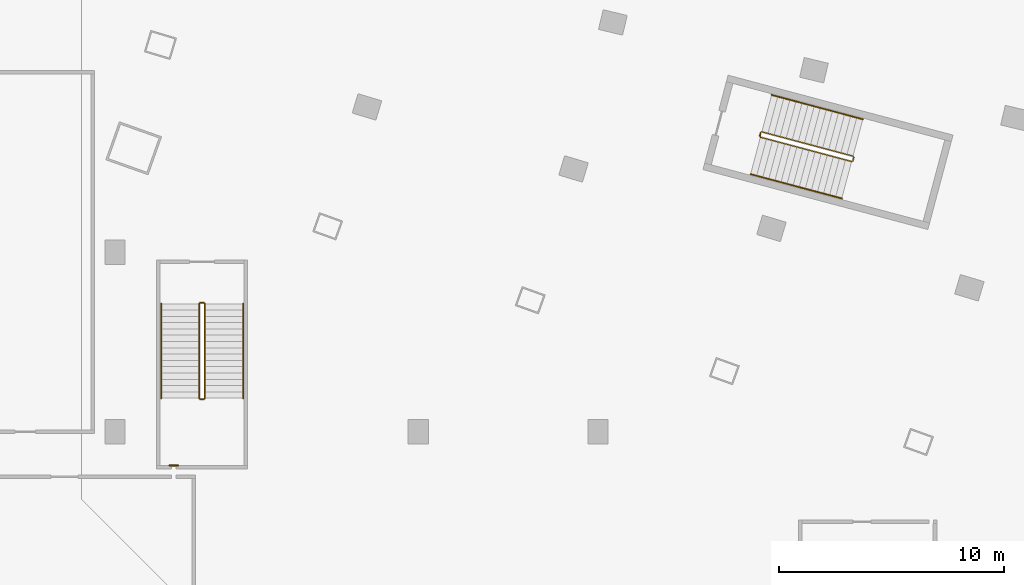
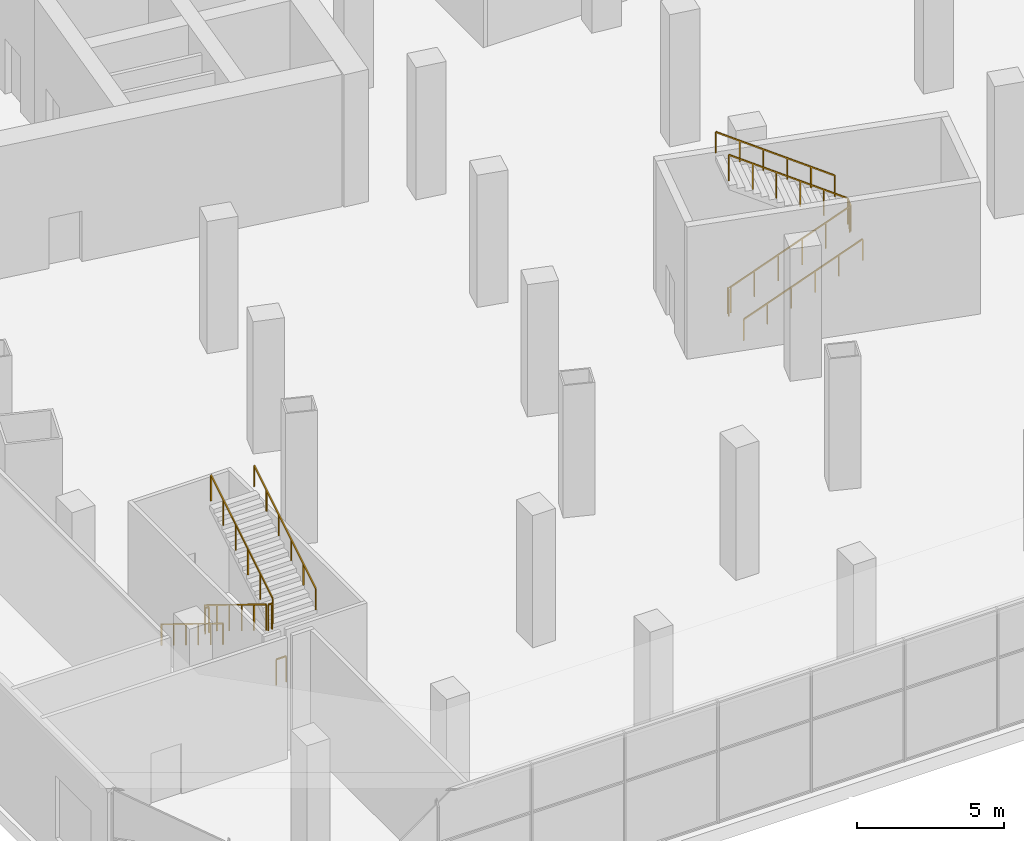
# One storey, part 20 of 26: 10 railings.
"""IFC4 building model written with IfcOpenShell, lengths in metres."""

from ifc_helpers import new_model, si_unit, direction, frame, origin, origin_with_axes, origin_2d, place, context, subcontext, project, spatial, rectangle, extrude, material, type_object, element, save


model = new_model("IFC4")

# Units and contexts
model_context = context("Model", 3, precision=1e-05, world=origin(), true_north=direction((0.0, 1.0)))
body_context = subcontext(model_context, "Body", "Model", "MODEL_VIEW")
ifc_project = project(units=[si_unit("LENGTHUNIT", "METRE"), si_unit("AREAUNIT", "SQUARE_METRE"), si_unit("VOLUMEUNIT", "CUBIC_METRE"), si_unit("PLANEANGLEUNIT", "RADIAN"), si_unit("MASSUNIT", "GRAM", prefix="KILO")], contexts=[model_context])

# Site, building, storey
site_placement = place(None, origin())
site = spatial("IfcSite", under=ifc_project, at=site_placement, CompositionType="ELEMENT")
building_placement = place(site_placement, origin())
building = spatial("IfcBuilding", under=site, at=building_placement, Name="Alderwake Tower", CompositionType="ELEMENT")
storey_placement = place(building_placement, frame((0.0, 0.0, 8.0)))
storey = spatial("IfcBuildingStorey", under=building, at=storey_placement, Name="L01", CompositionType="ELEMENT", Elevation=8.0)

# Railings
ifc_material_1 = material(Name="Stainless steel guard", Category="steel")
railing_type_1 = type_object("IfcRailingType", Name="Stair guard 1100", PredefinedType="GUARDRAIL", material=ifc_material_1)
railing_1_placement = place(storey_placement, frame((39.1943359375, 29.17431640625, 0.0)))
element("IfcRailing", 1, at=railing_1_placement, inside=storey, type_object=railing_type_1, Name="L01 ST-C stair guard 1", PredefinedType="GUARDRAIL", context=body_context, shape_type="SweptSolid", body=[
    extrude(rectangle(XDim=0.048095703125, YDim=0.048095703125, at=origin_2d()), frame((0.0, 0.0, 1.076171875), z_axis=(0.257459803502, 0.966289009345, 0.0), x_axis=(-0.966289009345, 0.257459803502, 0.0)), (0.0, 0.0, 1.0), 0.14990234375),
    extrude(rectangle(XDim=0.048095703125, YDim=0.048095703125, at=origin_2d()), frame((0.03857421875, 0.144775390625, 1.076171875), z_axis=(-0.011827368703, -0.767869168075, 0.640497505124), x_axis=(0.999881397308, -0.015401016783, 0.0)), (0.0, 0.0, 1.0), 0.268310546875),
    extrude(rectangle(XDim=0.048095703125, YDim=0.048095703125, at=origin_2d()), frame((0.035400390625, -0.061279296875, 1.248046875), z_axis=(0.823537466516, -0.219358993126, 0.523132558133), x_axis=(0.257387681119, 0.966308222881, 0.0)), (0.0, 0.0, 1.0), 4.92822265625),
    extrude(rectangle(XDim=0.048095703125, YDim=0.048095703125, at=origin_2d()), frame((4.093994140625, -1.142333984375, 3.826171875), z_axis=(0.865031189262, 0.501718089772, 0.0), x_axis=(-0.501718089772, 0.865031189262, 0.0)), (0.0, 0.0, 1.0), 0.070556640625),
    extrude(rectangle(XDim=0.048095703125, YDim=0.048095703125, at=origin_2d()), frame((4.155029296875, -1.10693359375, 3.826171875), z_axis=(0.258573505099, 0.965991585088, 0.0), x_axis=(-0.965991585088, 0.258573505099, 0.0)), (0.0, 0.0, 1.0), 0.150146484375),
    extrude(rectangle(XDim=0.048095703125, YDim=0.048095703125, at=origin_2d()), frame((4.19384765625, -0.9619140625, 3.826171875), z_axis=(-0.191718465689, 0.329598184164, 0.924450683871), x_axis=(-0.864402767194, -0.502800015978, 0.0)), (0.0, 0.0, 1.0), 0.18603515625),
    extrude(rectangle(XDim=0.048095703125, YDim=0.048095703125, at=origin_2d()), frame((4.158203125, -0.900634765625, 3.998046875), z_axis=(-0.82352152456, 0.219367942655, 0.523153901182), x_axis=(-0.257402139082, -0.966304371715, 0.0)), (0.0, 0.0, 1.0), 4.927978515625),
    extrude(rectangle(XDim=0.0419921875, YDim=0.0419921875, at=origin_2d()), frame((0.0, 0.0, 0.0), z_axis=(0.0, 0.0, 1.0), x_axis=(0.257459803502, 0.966289009345, 0.0)), (0.0, 0.0, 1.0), 1.052001953125),
    extrude(rectangle(XDim=0.0419921875, YDim=0.0419921875, at=origin_2d()), frame((0.03857421875, 0.144775390625, 0.0), z_axis=(0.0, 0.0, 1.0), x_axis=(-0.015401016783, -0.999881397308, 0.0)), (0.0, 0.0, 1.0), 1.052001953125),
    extrude(rectangle(XDim=0.0419921875, YDim=0.0419921875, at=origin_2d()), frame((0.035400390625, -0.061279296875, 0.171875), z_axis=(0.0, 0.0, 1.0), x_axis=(0.966308222881, -0.257387681119, 0.0)), (0.0, 0.0, 1.0), 1.052001953125),
    extrude(rectangle(XDim=0.0419921875, YDim=0.0419921875, at=origin_2d()), frame((0.84716796875, -0.277587890625, 0.6875), z_axis=(0.0, 0.0, 1.0), x_axis=(0.966308222881, -0.257387681119, 0.0)), (0.0, 0.0, 1.0), 1.052001953125),
    extrude(rectangle(XDim=0.0419921875, YDim=0.0419921875, at=origin_2d()), frame((1.658935546875, -0.49365234375, 1.203125), z_axis=(0.0, 0.0, 1.0), x_axis=(0.966308222881, -0.257387681119, 0.0)), (0.0, 0.0, 1.0), 1.052001953125),
    extrude(rectangle(XDim=0.0419921875, YDim=0.0419921875, at=origin_2d()), frame((2.470458984375, -0.7099609375, 1.71875), z_axis=(0.0, 0.0, 1.0), x_axis=(0.966308222881, -0.257387681119, 0.0)), (0.0, 0.0, 1.0), 1.052001953125),
    extrude(rectangle(XDim=0.0419921875, YDim=0.0419921875, at=origin_2d()), frame((3.2822265625, -0.926025390625, 2.234375), z_axis=(0.0, 0.0, 1.0), x_axis=(0.966308222881, -0.257387681119, 0.0)), (0.0, 0.0, 1.0), 1.052001953125),
    extrude(rectangle(XDim=0.0419921875, YDim=0.0419921875, at=origin_2d()), frame((4.093994140625, -1.142333984375, 2.75), z_axis=(0.0, 0.0, 1.0), x_axis=(0.865031189262, 0.501718089772, 0.0)), (0.0, 0.0, 1.0), 1.052001953125),
    extrude(rectangle(XDim=0.0419921875, YDim=0.0419921875, at=origin_2d()), frame((4.155029296875, -1.10693359375, 2.75), z_axis=(0.0, 0.0, 1.0), x_axis=(0.258573505099, 0.965991585088, 0.0)), (0.0, 0.0, 1.0), 1.052001953125),
    extrude(rectangle(XDim=0.0419921875, YDim=0.0419921875, at=origin_2d()), frame((4.19384765625, -0.9619140625, 2.75), z_axis=(0.0, 0.0, 1.0), x_axis=(-0.502800015978, 0.864402767194, 0.0)), (0.0, 0.0, 1.0), 1.052001953125),
    extrude(rectangle(XDim=0.0419921875, YDim=0.0419921875, at=origin_2d()), frame((4.158203125, -0.900634765625, 2.921875), z_axis=(0.0, 0.0, 1.0), x_axis=(-0.966304371715, 0.257402139082, 0.0)), (0.0, 0.0, 1.0), 1.052001953125),
    extrude(rectangle(XDim=0.0419921875, YDim=0.0419921875, at=origin_2d()), frame((3.346435546875, -0.684326171875, 3.4375), z_axis=(0.0, 0.0, 1.0), x_axis=(-0.966304371715, 0.257402139082, 0.0)), (0.0, 0.0, 1.0), 1.052001953125),
    extrude(rectangle(XDim=0.0419921875, YDim=0.0419921875, at=origin_2d()), frame((2.534912109375, -0.46826171875, 3.953125), z_axis=(0.0, 0.0, 1.0), x_axis=(-0.966304371715, 0.257402139082, 0.0)), (0.0, 0.0, 1.0), 1.052001953125),
    extrude(rectangle(XDim=0.0419921875, YDim=0.0419921875, at=origin_2d()), frame((1.72314453125, -0.251953125, 4.46875), z_axis=(0.0, 0.0, 1.0), x_axis=(-0.966304371715, 0.257402139082, 0.0)), (0.0, 0.0, 1.0), 1.052001953125),
    extrude(rectangle(XDim=0.0419921875, YDim=0.0419921875, at=origin_2d()), frame((0.91162109375, -0.035888671875, 4.984375), z_axis=(0.0, 0.0, 1.0), x_axis=(-0.966304371715, 0.257402139082, 0.0)), (0.0, 0.0, 1.0), 1.052001953125),
    extrude(rectangle(XDim=0.0419921875, YDim=0.0419921875, at=origin_2d()), frame((0.099853515625, 0.180419921875, 5.5), z_axis=(0.0, 0.0, 1.0), x_axis=(-0.966304371715, 0.257402139082, 0.0)), (0.0, 0.0, 1.0), 1.052001953125),
])
railing_2_placement = place(storey_placement, frame((14.25, 21.699951171875, 0.171875)))
element("IfcRailing", 2, at=railing_2_placement, inside=storey, type_object=railing_type_1, Name="L01 ST-P1 stair guard 1", PredefinedType="GUARDRAIL", context=body_context, shape_type="SweptSolid", body=[
    extrude(rectangle(XDim=0.048095703125, YDim=0.048095703125, at=origin_2d()), frame((0.0, 0.0, 1.076171875), z_axis=(0.0, -0.852242915053, 0.523146264196), x_axis=(1.0, 0.0, 0.0)), (0.0, 0.0, 1.0), 4.92822265625),
    extrude(rectangle(XDim=0.0419921875, YDim=0.0419921875, at=origin_2d()), frame((0.0, 0.0, 0.0), z_axis=(0.0, 0.0, 1.0), x_axis=(0.0, -1.0, 0.0)), (0.0, 0.0, 1.0), 1.052001953125),
    extrude(rectangle(XDim=0.0419921875, YDim=0.0419921875, at=origin_2d()), frame((0.0, -0.840087890625, 0.515625), z_axis=(0.0, 0.0, 1.0), x_axis=(0.0, -1.0, 0.0)), (0.0, 0.0, 1.0), 1.052001953125),
    extrude(rectangle(XDim=0.0419921875, YDim=0.0419921875, at=origin_2d()), frame((0.0, -1.679931640625, 1.03125), z_axis=(0.0, 0.0, 1.0), x_axis=(0.0, -1.0, 0.0)), (0.0, 0.0, 1.0), 1.052001953125),
    extrude(rectangle(XDim=0.0419921875, YDim=0.0419921875, at=origin_2d()), frame((0.0, -2.52001953125, 1.546875), z_axis=(0.0, 0.0, 1.0), x_axis=(0.0, -1.0, 0.0)), (0.0, 0.0, 1.0), 1.052001953125),
    extrude(rectangle(XDim=0.0419921875, YDim=0.0419921875, at=origin_2d()), frame((0.0, -3.35986328125, 2.0625), z_axis=(0.0, 0.0, 1.0), x_axis=(0.0, -1.0, 0.0)), (0.0, 0.0, 1.0), 1.052001953125),
    extrude(rectangle(XDim=0.0419921875, YDim=0.0419921875, at=origin_2d()), frame((0.0, -4.199951171875, 2.578125), z_axis=(0.0, 0.0, 1.0), x_axis=(0.0, -1.0, 0.0)), (0.0, 0.0, 1.0), 1.052001953125),
])
railing_3_placement = place(storey_placement, frame((14.300048828125, 17.449951171875, 2.75)))
element("IfcRailing", 3, at=railing_3_placement, inside=storey, type_object=railing_type_1, Name="L01 ST-P1 stair guard 2", PredefinedType="GUARDRAIL", context=body_context, shape_type="SweptSolid", body=[
    extrude(rectangle(XDim=0.048095703125, YDim=0.048095703125, at=origin_2d()), frame((0.0, 0.0, 1.076171875), z_axis=(1.0, 0.0, 0.0), x_axis=(0.0, 1.0, 0.0)), (0.0, 0.0, 1.0), 0.14990234375),
    extrude(rectangle(XDim=0.0419921875, YDim=0.0419921875, at=origin_2d()), origin_with_axes(), (0.0, 0.0, 1.0), 1.052001953125),
    extrude(rectangle(XDim=0.0419921875, YDim=0.0419921875, at=origin_2d()), frame((0.14990234375, 0.0, 0.0), z_axis=(0.0, 0.0, 1.0), x_axis=(1.0, 0.0, 0.0)), (0.0, 0.0, 1.0), 1.052001953125),
])
railing_4_placement = place(storey_placement, frame((14.5, 17.5, 2.921875)))
element("IfcRailing", 4, at=railing_4_placement, inside=storey, type_object=railing_type_1, Name="L01 ST-P1 stair guard 3", PredefinedType="GUARDRAIL", context=body_context, shape_type="SweptSolid", body=[
    extrude(rectangle(XDim=0.048095703125, YDim=0.048095703125, at=origin_2d()), frame((0.0, 0.0, 1.076171875), z_axis=(0.0, 0.852242915053, 0.523146264196), x_axis=(-1.0, 0.0, 0.0)), (0.0, 0.0, 1.0), 4.92822265625),
    extrude(rectangle(XDim=0.0419921875, YDim=0.0419921875, at=origin_2d()), frame((0.0, 0.0, 0.0), z_axis=(0.0, 0.0, 1.0), x_axis=(0.0, 1.0, 0.0)), (0.0, 0.0, 1.0), 1.052001953125),
    extrude(rectangle(XDim=0.0419921875, YDim=0.0419921875, at=origin_2d()), frame((0.0, 0.840087890625, 0.515625), z_axis=(0.0, 0.0, 1.0), x_axis=(0.0, 1.0, 0.0)), (0.0, 0.0, 1.0), 1.052001953125),
    extrude(rectangle(XDim=0.0419921875, YDim=0.0419921875, at=origin_2d()), frame((0.0, 1.679931640625, 1.03125), z_axis=(0.0, 0.0, 1.0), x_axis=(0.0, 1.0, 0.0)), (0.0, 0.0, 1.0), 1.052001953125),
    extrude(rectangle(XDim=0.0419921875, YDim=0.0419921875, at=origin_2d()), frame((0.0, 2.52001953125, 1.546875), z_axis=(0.0, 0.0, 1.0), x_axis=(0.0, 1.0, 0.0)), (0.0, 0.0, 1.0), 1.052001953125),
    extrude(rectangle(XDim=0.0419921875, YDim=0.0419921875, at=origin_2d()), frame((0.0, 3.35986328125, 2.0625), z_axis=(0.0, 0.0, 1.0), x_axis=(0.0, 1.0, 0.0)), (0.0, 0.0, 1.0), 1.052001953125),
    extrude(rectangle(XDim=0.0419921875, YDim=0.0419921875, at=origin_2d()), frame((0.0, 4.199951171875, 2.578125), z_axis=(0.0, 0.0, 1.0), x_axis=(0.0, 1.0, 0.0)), (0.0, 0.0, 1.0), 1.052001953125),
])
railing_5_placement = place(storey_placement, frame((14.300048828125, 21.75, 0.0)))
element("IfcRailing", 5, at=railing_5_placement, inside=storey, type_object=railing_type_1, Name="L01 ST-P1 stair guard 4", PredefinedType="GUARDRAIL", context=body_context, shape_type="SweptSolid", body=[
    extrude(rectangle(XDim=0.048095703125, YDim=0.048095703125, at=origin_2d()), frame((0.0, 0.0, 1.076171875), z_axis=(1.0, 0.0, 0.0), x_axis=(0.0, 1.0, 0.0)), (0.0, 0.0, 1.0), 0.14990234375),
    extrude(rectangle(XDim=0.0419921875, YDim=0.0419921875, at=origin_2d()), origin_with_axes(), (0.0, 0.0, 1.0), 1.052001953125),
    extrude(rectangle(XDim=0.0419921875, YDim=0.0419921875, at=origin_2d()), frame((0.14990234375, 0.0, 0.0), z_axis=(0.0, 0.0, 1.0), x_axis=(1.0, 0.0, 0.0)), (0.0, 0.0, 1.0), 1.052001953125),
])
railing_6_placement = place(storey_placement, frame((12.910888671875, 14.5, 2.75)))
element("IfcRailing", 6, at=railing_6_placement, inside=storey, type_object=railing_type_1, Name="L01 landing guard ST-P1.L1", PredefinedType="GUARDRAIL", context=body_context, shape_type="SweptSolid", body=[
    extrude(rectangle(XDim=0.048095703125, YDim=0.048095703125, at=origin_2d()), frame((0.0, 0.0, 1.076171875), z_axis=(1.0, 0.0, 0.0), x_axis=(0.0, 1.0, 0.0)), (0.0, 0.0, 1.0), 0.39599609375),
    extrude(rectangle(XDim=0.0419921875, YDim=0.0419921875, at=origin_2d()), origin_with_axes(), (0.0, 0.0, 1.0), 1.052001953125),
    extrude(rectangle(XDim=0.0419921875, YDim=0.0419921875, at=origin_2d()), frame((0.39599609375, 0.0, 0.0), z_axis=(0.0, 0.0, 1.0), x_axis=(1.0, 0.0, 0.0)), (0.0, 0.0, 1.0), 1.052001953125),
])
ifc_material_2 = material(Name="Stainless steel handrail", Category="steel")
railing_type_2 = type_object("IfcRailingType", Name="Stair handrail 900", PredefinedType="HANDRAIL", material=ifc_material_2)
railing_7_placement = place(storey_placement, frame((38.792236328125, 27.47021484375, 0.171875)))
element("IfcRailing", 7, at=railing_7_placement, inside=storey, type_object=railing_type_2, Name="L01 ST-C stair handrail 1", PredefinedType="HANDRAIL", context=body_context, shape_type="SweptSolid", body=[
    extrude(rectangle(XDim=0.048095703125, YDim=0.048095703125, at=origin_2d()), frame((0.0, 0.0, 0.8759765625), z_axis=(0.823546414901, -0.219311837029, 0.523138242382), x_axis=(0.257333403443, 0.966322678753, 0.0)), (0.0, 0.0, 1.0), 4.92822265625),
    extrude(rectangle(XDim=0.0419921875, YDim=0.0419921875, at=origin_2d()), frame((0.0, 0.0, 0.0), z_axis=(0.0, 0.0, 1.0), x_axis=(0.966322678753, -0.257333403443, 0.0)), (0.0, 0.0, 1.0), 0.851806640625),
    extrude(rectangle(XDim=0.0419921875, YDim=0.0419921875, at=origin_2d()), frame((0.811767578125, -0.216064453125, 0.515625), z_axis=(0.0, 0.0, 1.0), x_axis=(0.966322678753, -0.257333403443, 0.0)), (0.0, 0.0, 1.0), 0.851806640625),
    extrude(rectangle(XDim=0.0419921875, YDim=0.0419921875, at=origin_2d()), frame((1.62353515625, -0.432373046875, 1.03125), z_axis=(0.0, 0.0, 1.0), x_axis=(0.966322678753, -0.257333403443, 0.0)), (0.0, 0.0, 1.0), 0.851806640625),
    extrude(rectangle(XDim=0.0419921875, YDim=0.0419921875, at=origin_2d()), frame((2.43505859375, -0.6484375, 1.546875), z_axis=(0.0, 0.0, 1.0), x_axis=(0.966322678753, -0.257333403443, 0.0)), (0.0, 0.0, 1.0), 0.851806640625),
    extrude(rectangle(XDim=0.0419921875, YDim=0.0419921875, at=origin_2d()), frame((3.246826171875, -0.86474609375, 2.0625), z_axis=(0.0, 0.0, 1.0), x_axis=(0.966322678753, -0.257333403443, 0.0)), (0.0, 0.0, 1.0), 0.851806640625),
    extrude(rectangle(XDim=0.0419921875, YDim=0.0419921875, at=origin_2d()), frame((4.05859375, -1.080810546875, 2.578125), z_axis=(0.0, 0.0, 1.0), x_axis=(0.966322678753, -0.257333403443, 0.0)), (0.0, 0.0, 1.0), 0.851806640625),
])
railing_8_placement = place(storey_placement, frame((43.790283203125, 29.916259765625, 2.921875)))
element("IfcRailing", 8, at=railing_8_placement, inside=storey, type_object=railing_type_2, Name="L01 ST-C stair handrail 2", PredefinedType="HANDRAIL", context=body_context, shape_type="SweptSolid", body=[
    extrude(rectangle(XDim=0.048095703125, YDim=0.048095703125, at=origin_2d()), frame((0.0, 0.0, 0.8759765625), z_axis=(-0.823537466516, 0.219358993126, 0.523132558133), x_axis=(-0.257387681119, -0.966308222881, 0.0)), (0.0, 0.0, 1.0), 4.92822265625),
    extrude(rectangle(XDim=0.0419921875, YDim=0.0419921875, at=origin_2d()), frame((0.0, 0.0, 0.0), z_axis=(0.0, 0.0, 1.0), x_axis=(-0.966308222881, 0.257387681119, 0.0)), (0.0, 0.0, 1.0), 0.851806640625),
    extrude(rectangle(XDim=0.0419921875, YDim=0.0419921875, at=origin_2d()), frame((-0.811767578125, 0.21630859375, 0.515625), z_axis=(0.0, 0.0, 1.0), x_axis=(-0.966308222881, 0.257387681119, 0.0)), (0.0, 0.0, 1.0), 0.851806640625),
    extrude(rectangle(XDim=0.0419921875, YDim=0.0419921875, at=origin_2d()), frame((-1.62353515625, 0.432373046875, 1.03125), z_axis=(0.0, 0.0, 1.0), x_axis=(-0.966308222881, 0.257387681119, 0.0)), (0.0, 0.0, 1.0), 0.851806640625),
    extrude(rectangle(XDim=0.0419921875, YDim=0.0419921875, at=origin_2d()), frame((-2.43505859375, 0.648681640625, 1.546875), z_axis=(0.0, 0.0, 1.0), x_axis=(-0.966308222881, 0.257387681119, 0.0)), (0.0, 0.0, 1.0), 0.851806640625),
    extrude(rectangle(XDim=0.0419921875, YDim=0.0419921875, at=origin_2d()), frame((-3.246826171875, 0.86474609375, 2.0625), z_axis=(0.0, 0.0, 1.0), x_axis=(-0.966308222881, 0.257387681119, 0.0)), (0.0, 0.0, 1.0), 0.851806640625),
    extrude(rectangle(XDim=0.0419921875, YDim=0.0419921875, at=origin_2d()), frame((-4.05859375, 1.0810546875, 2.578125), z_axis=(0.0, 0.0, 1.0), x_axis=(-0.966308222881, 0.257387681119, 0.0)), (0.0, 0.0, 1.0), 0.851806640625),
])
railing_9_placement = place(storey_placement, frame((12.550048828125, 21.699951171875, 0.171875)))
element("IfcRailing", 9, at=railing_9_placement, inside=storey, type_object=railing_type_2, Name="L01 ST-P1 stair handrail 1", PredefinedType="HANDRAIL", context=body_context, shape_type="SweptSolid", body=[
    extrude(rectangle(XDim=0.048095703125, YDim=0.048095703125, at=origin_2d()), frame((0.0, 0.0, 0.8759765625), z_axis=(0.0, -0.852242915053, 0.523146264196), x_axis=(1.0, 0.0, 0.0)), (0.0, 0.0, 1.0), 4.92822265625),
    extrude(rectangle(XDim=0.0419921875, YDim=0.0419921875, at=origin_2d()), frame((0.0, 0.0, 0.0), z_axis=(0.0, 0.0, 1.0), x_axis=(0.0, -1.0, 0.0)), (0.0, 0.0, 1.0), 0.851806640625),
    extrude(rectangle(XDim=0.0419921875, YDim=0.0419921875, at=origin_2d()), frame((0.0, -0.840087890625, 0.515625), z_axis=(0.0, 0.0, 1.0), x_axis=(0.0, -1.0, 0.0)), (0.0, 0.0, 1.0), 0.851806640625),
    extrude(rectangle(XDim=0.0419921875, YDim=0.0419921875, at=origin_2d()), frame((0.0, -1.679931640625, 1.03125), z_axis=(0.0, 0.0, 1.0), x_axis=(0.0, -1.0, 0.0)), (0.0, 0.0, 1.0), 0.851806640625),
    extrude(rectangle(XDim=0.0419921875, YDim=0.0419921875, at=origin_2d()), frame((0.0, -2.52001953125, 1.546875), z_axis=(0.0, 0.0, 1.0), x_axis=(0.0, -1.0, 0.0)), (0.0, 0.0, 1.0), 0.851806640625),
    extrude(rectangle(XDim=0.0419921875, YDim=0.0419921875, at=origin_2d()), frame((0.0, -3.35986328125, 2.0625), z_axis=(0.0, 0.0, 1.0), x_axis=(0.0, -1.0, 0.0)), (0.0, 0.0, 1.0), 0.851806640625),
    extrude(rectangle(XDim=0.0419921875, YDim=0.0419921875, at=origin_2d()), frame((0.0, -4.199951171875, 2.578125), z_axis=(0.0, 0.0, 1.0), x_axis=(0.0, -1.0, 0.0)), (0.0, 0.0, 1.0), 0.851806640625),
])
railing_10_placement = place(storey_placement, frame((16.199951171875, 17.5, 2.921875)))
element("IfcRailing", 10, at=railing_10_placement, inside=storey, type_object=railing_type_2, Name="L01 ST-P1 stair handrail 2", PredefinedType="HANDRAIL", context=body_context, shape_type="SweptSolid", body=[
    extrude(rectangle(XDim=0.048095703125, YDim=0.048095703125, at=origin_2d()), frame((0.0, 0.0, 0.8759765625), z_axis=(0.0, 0.852242915053, 0.523146264196), x_axis=(-1.0, 0.0, 0.0)), (0.0, 0.0, 1.0), 4.92822265625),
    extrude(rectangle(XDim=0.0419921875, YDim=0.0419921875, at=origin_2d()), frame((0.0, 0.0, 0.0), z_axis=(0.0, 0.0, 1.0), x_axis=(0.0, 1.0, 0.0)), (0.0, 0.0, 1.0), 0.851806640625),
    extrude(rectangle(XDim=0.0419921875, YDim=0.0419921875, at=origin_2d()), frame((0.0, 0.840087890625, 0.515625), z_axis=(0.0, 0.0, 1.0), x_axis=(0.0, 1.0, 0.0)), (0.0, 0.0, 1.0), 0.851806640625),
    extrude(rectangle(XDim=0.0419921875, YDim=0.0419921875, at=origin_2d()), frame((0.0, 1.679931640625, 1.03125), z_axis=(0.0, 0.0, 1.0), x_axis=(0.0, 1.0, 0.0)), (0.0, 0.0, 1.0), 0.851806640625),
    extrude(rectangle(XDim=0.0419921875, YDim=0.0419921875, at=origin_2d()), frame((0.0, 2.52001953125, 1.546875), z_axis=(0.0, 0.0, 1.0), x_axis=(0.0, 1.0, 0.0)), (0.0, 0.0, 1.0), 0.851806640625),
    extrude(rectangle(XDim=0.0419921875, YDim=0.0419921875, at=origin_2d()), frame((0.0, 3.35986328125, 2.0625), z_axis=(0.0, 0.0, 1.0), x_axis=(0.0, 1.0, 0.0)), (0.0, 0.0, 1.0), 0.851806640625),
    extrude(rectangle(XDim=0.0419921875, YDim=0.0419921875, at=origin_2d()), frame((0.0, 4.199951171875, 2.578125), z_axis=(0.0, 0.0, 1.0), x_axis=(0.0, 1.0, 0.0)), (0.0, 0.0, 1.0), 0.851806640625),
])

save(model, "model.ifc")
